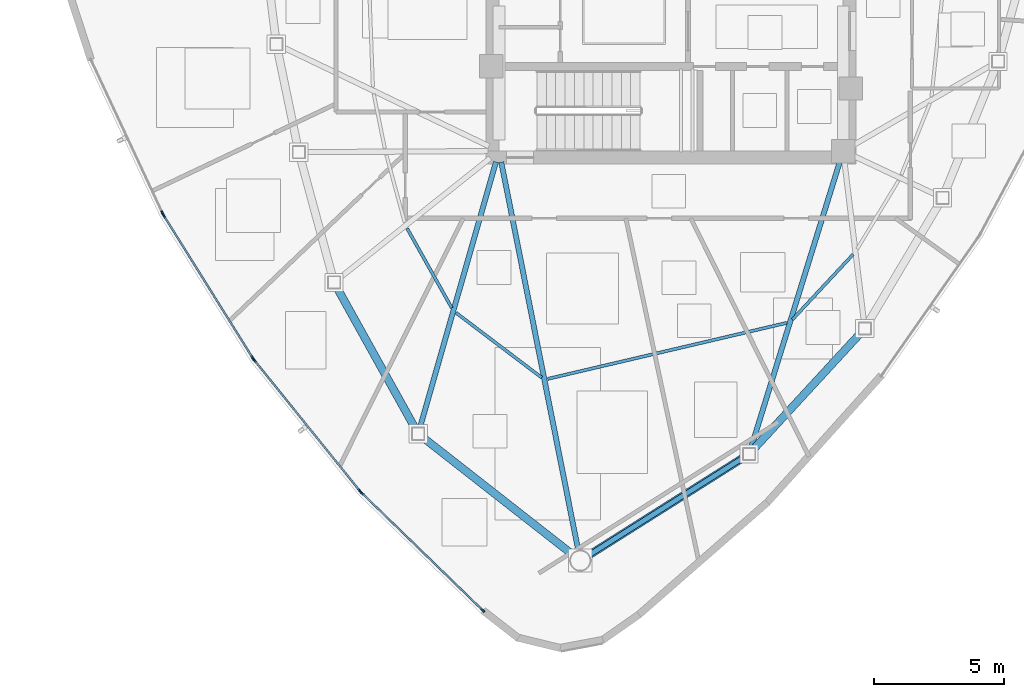
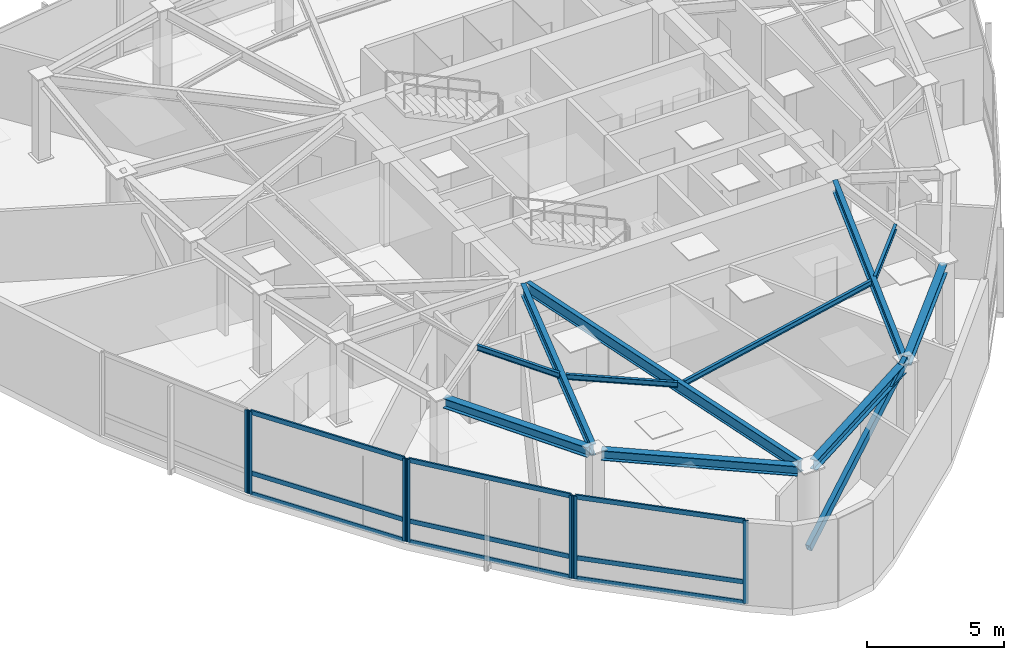
# One storey, part 2 of 12: 17 members, 11 beams, 4 elements without a shape of their own.
"""IFC4 building model written with IfcOpenShell, lengths in metres."""

from ifc_helpers import new_model, si_unit, direction, frame, origin, origin_2d, place, context, subcontext, project, spatial, hollow_rectangle, i_section, extrude, source, transform, mapped, material, layer, layer_set, material_profile, profile_set, type_object, type_shapes, element, aggregate, save


model = new_model("IFC4")

# Units and contexts
model_context = context("Model", 3, precision=1e-05, world=origin(), true_north=direction((0.0, 1.0)))
body_context = subcontext(model_context, "Body", "Model", "MODEL_VIEW")
ifc_project = project(units=[si_unit("LENGTHUNIT", "METRE"), si_unit("AREAUNIT", "SQUARE_METRE"), si_unit("VOLUMEUNIT", "CUBIC_METRE"), si_unit("PLANEANGLEUNIT", "RADIAN"), si_unit("MASSUNIT", "GRAM", prefix="KILO")], contexts=[model_context])

# Site, building, storey
site_placement = place(None, origin())
site = spatial("IfcSite", under=ifc_project, at=site_placement, CompositionType="ELEMENT")
building_placement = place(site_placement, origin())
building = spatial("IfcBuilding", under=site, at=building_placement, Name="Tavelor Broadcast Tower", CompositionType="ELEMENT")
storey_placement = place(building_placement, frame((0.0, 0.0, 289.5)))
storey = spatial("IfcBuildingStorey", under=building, at=storey_placement, Name="L69", CompositionType="ELEMENT", Elevation=289.5)

# Beams
ifc_material_1 = material(Name="Steel S355", Category="steel")
ifc_material_profile_1 = material_profile(ifc_material_1, i_section(OverallWidth=0.1201171875, OverallDepth=0.239990234375, WebThickness=0.006103515625, FlangeThickness=0.009765625, at=origin_2d()), Name="IPE 240")
ifc_profile_set_1 = profile_set([ifc_material_profile_1], Name="Steel S355")
beam_type_1 = type_object("IfcBeamType", Name="Composite Floor Joist T7 IPE 240", PredefinedType="JOIST", material=ifc_profile_set_1)
beam_1_placement = place(storey_placement, frame((39.873779296875, 35.830078125, 3.580078125), z_axis=(0.489567395479, -0.871965461061, 0.0), x_axis=(0.871965461061, 0.489567395479, 0.0)))
element("IfcBeam", 1, at=beam_1_placement, inside=storey, type_object=beam_type_1, Name="L69 Secondary Composite Floor Joist 05", PredefinedType="JOIST", context=body_context, shape_type="SweptSolid", body=[
    extrude(i_section(OverallWidth=0.1201171875, OverallDepth=0.239990234375, WebThickness=0.006103515625, FlangeThickness=0.009765625, at=origin_2d()), origin(), (0.0, 0.0, 1.0), 3.4921875),
])
beam_2_placement = place(storey_placement, frame((41.74951171875, 32.594482421875, 3.580078125), z_axis=(0.797312398186, -0.603566847747, 0.0), x_axis=(0.603566847747, 0.797312398186, 0.0)))
element("IfcBeam", 2, at=beam_2_placement, inside=storey, type_object=beam_type_1, Name="L69 Secondary Composite Floor Joist 06", PredefinedType="JOIST", context=body_context, shape_type="SweptSolid", body=[
    extrude(i_section(OverallWidth=0.1201171875, OverallDepth=0.239990234375, WebThickness=0.006103515625, FlangeThickness=0.009765625, at=origin_2d()), origin(), (0.0, 0.0, 1.0), 4.121826171875),
])
beam_3_placement = place(storey_placement, frame((45.264404296875, 30.058349609375, 3.580078125), z_axis=(0.973614241708, 0.228200149746, 0.0), x_axis=(-0.228200149746, 0.973614241708, 0.0)))
element("IfcBeam", 3, at=beam_3_placement, inside=storey, type_object=beam_type_1, Name="L69 Secondary Composite Floor Joist 07", PredefinedType="JOIST", context=body_context, shape_type="SweptSolid", body=[
    extrude(i_section(OverallWidth=0.1201171875, OverallDepth=0.239990234375, WebThickness=0.006103515625, FlangeThickness=0.009765625, at=origin_2d()), origin(), (0.0, 0.0, 1.0), 9.422119140625),
])
beam_4_placement = place(storey_placement, frame((54.651611328125, 32.332275390625, 3.580078125), z_axis=(0.681448823195, 0.731865767314, 0.0), x_axis=(-0.731865767314, 0.681448823195, 0.0)))
element("IfcBeam", 4, at=beam_4_placement, inside=storey, type_object=beam_type_1, Name="L69 Secondary Composite Floor Joist 08", PredefinedType="JOIST", context=body_context, shape_type="SweptSolid", body=[
    extrude(i_section(OverallWidth=0.1201171875, OverallDepth=0.239990234375, WebThickness=0.006103515625, FlangeThickness=0.009765625, at=origin_2d()), origin(), (0.0, 0.0, 1.0), 3.423583984375),
])
ifc_material_profile_2 = material_profile(ifc_material_1, i_section(OverallWidth=0.300048828125, OverallDepth=0.43994140625, WebThickness=0.011474609375, FlangeThickness=0.02099609375, at=origin_2d()), Name="HEA 450")
ifc_profile_set_2 = profile_set([ifc_material_profile_2], Name="Steel S355")
beam_type_2 = type_object("IfcBeamType", Name="Perimeter Spandrel Beam T7 HEA 450", PredefinedType="SPANDREL", material=ifc_profile_set_2)
beam_5_placement = place(storey_placement, frame((37.184814453125, 33.5498046875, 3.47998046875), z_axis=(0.485969141936, -0.873975968254, 0.0), x_axis=(0.873975968254, 0.485969141936, 0.0)))
element("IfcBeam", 5, at=beam_5_placement, inside=storey, type_object=beam_type_2, Name="L69 Framed-Tube Ring Spandrel 05", PredefinedType="SPANDREL", context=body_context, shape_type="SweptSolid", body=[
    extrude(i_section(OverallWidth=0.300048828125, OverallDepth=0.43994140625, WebThickness=0.011474609375, FlangeThickness=0.02099609375, at=origin_2d()), origin(), (0.0, 0.0, 1.0), 6.1630859375),
])
beam_6_placement = place(storey_placement, frame((40.485595703125, 27.8056640625, 3.47998046875), z_axis=(0.787521309141, -0.616287422919, 0.0), x_axis=(0.616287422919, 0.787521309141, 0.0)))
element("IfcBeam", 6, at=beam_6_placement, inside=storey, type_object=beam_type_2, Name="L69 Framed-Tube Ring Spandrel 06", PredefinedType="SPANDREL", context=body_context, shape_type="SweptSolid", body=[
    extrude(i_section(OverallWidth=0.300048828125, OverallDepth=0.43994140625, WebThickness=0.011474609375, FlangeThickness=0.02099609375, at=origin_2d()), origin(), (0.0, 0.0, 1.0), 7.265625),
])
beam_7_placement = place(storey_placement, frame((46.8447265625, 23.295654296875, 3.47998046875), z_axis=(0.845617600782, 0.53378916554, 0.0), x_axis=(-0.53378916554, 0.845617600782, 0.0)))
element("IfcBeam", 7, at=beam_7_placement, inside=storey, type_object=beam_type_2, Name="L69 Framed-Tube Ring Spandrel 07", PredefinedType="SPANDREL", context=body_context, shape_type="SweptSolid", body=[
    extrude(i_section(OverallWidth=0.300048828125, OverallDepth=0.43994140625, WebThickness=0.011474609375, FlangeThickness=0.02099609375, at=origin_2d()), origin(), (0.0, 0.0, 1.0), 7.03076171875),
])
beam_8_placement = place(storey_placement, frame((53.15576171875, 27.353271484375, 3.47998046875), z_axis=(0.677736891139, 0.735304499095, 0.0), x_axis=(-0.735304499095, 0.677736891139, 0.0)))
element("IfcBeam", 8, at=beam_8_placement, inside=storey, type_object=beam_type_2, Name="L69 Framed-Tube Ring Spandrel 08", PredefinedType="SPANDREL", context=body_context, shape_type="SweptSolid", body=[
    extrude(i_section(OverallWidth=0.300048828125, OverallDepth=0.43994140625, WebThickness=0.011474609375, FlangeThickness=0.02099609375, at=origin_2d()), origin(), (0.0, 0.0, 1.0), 6.06884765625),
])

# Member
ifc_material_profile_3 = material_profile(ifc_material_1, hollow_rectangle(XDim=0.199951171875, YDim=0.35009765625, WallThickness=0.01611328125, at=origin_2d()), Name="RHS 350x200x16")
ifc_profile_set_3 = profile_set([ifc_material_profile_3], Name="Steel S355")
member_type_1 = type_object("IfcMemberType", Name="Perimeter Tube Brace T7 RHS 350x200x16", PredefinedType="BRACE", material=ifc_profile_set_3)
member_1_placement = place(storey_placement, frame((46.5146484375, 23.08740234375, 0.0), z_axis=(0.761462376336, 0.480666847696, 0.434895885184), x_axis=(-0.533789146824, 0.845617612596, 0.0)))
element("IfcMember", 9, at=member_1_placement, inside=storey, type_object=member_type_1, Name="L69 Corner Tube Diagonal Brace 2", PredefinedType="BRACE", context=body_context, shape_type="SweptSolid", body=[
    extrude(hollow_rectangle(XDim=0.199951171875, YDim=0.35009765625, WallThickness=0.01611328125, at=origin_2d()), origin(), (0.0, 0.0, 1.0), 8.507568359375),
])

# Beams
ifc_material_profile_4 = material_profile(ifc_material_1, i_section(OverallWidth=0.199951171875, OverallDepth=0.5, WebThickness=0.01025390625, FlangeThickness=0.01611328125, at=origin_2d()), Name="IPE 500")
ifc_profile_set_4 = profile_set([ifc_material_profile_4], Name="Steel S355")
beam_type_3 = type_object("IfcBeamType", Name="Radial Floor Girder T7 IPE 500", PredefinedType="BEAM", material=ifc_profile_set_4)
beam_9_placement = place(storey_placement, frame((43.28125, 38.384765625, 3.449951171875), z_axis=(-0.275094925197, -0.961417069815, 0.0), x_axis=(0.961417069815, -0.275094925197, 0.0)))
element("IfcBeam", 10, at=beam_9_placement, inside=storey, type_object=beam_type_3, Name="L69 Radial Primary Floor Girder 06", PredefinedType="BEAM", context=body_context, shape_type="SweptSolid", body=[
    extrude(i_section(OverallWidth=0.199951171875, OverallDepth=0.5, WebThickness=0.01025390625, FlangeThickness=0.01611328125, at=origin_2d()), origin(), (0.0, 0.0, 1.0), 10.60986328125),
])
beam_10_placement = place(storey_placement, frame((43.48388671875, 38.376220703125, 3.449951171875), z_axis=(0.19444745334, -0.980912935938, 0.0), x_axis=(0.980912935938, 0.19444745334, 0.0)))
element("IfcBeam", 11, at=beam_10_placement, inside=storey, type_object=beam_type_3, Name="L69 Radial Primary Floor Girder 07", PredefinedType="BEAM", context=body_context, shape_type="SweptSolid", body=[
    extrude(i_section(OverallWidth=0.199951171875, OverallDepth=0.5, WebThickness=0.01025390625, FlangeThickness=0.01611328125, at=origin_2d()), origin(), (0.0, 0.0, 1.0), 15.196044921875),
])
beam_11_placement = place(storey_placement, frame((56.471923828125, 38.387451171875, 3.449951171875), z_axis=(-0.296373836186, -0.955072012585, 0.0), x_axis=(0.955072012585, -0.296373836186, 0.0)))
element("IfcBeam", 12, at=beam_11_placement, inside=storey, type_object=beam_type_3, Name="L69 Radial Primary Floor Girder 08", PredefinedType="BEAM", context=body_context, shape_type="SweptSolid", body=[
    extrude(i_section(OverallWidth=0.199951171875, OverallDepth=0.5, WebThickness=0.01025390625, FlangeThickness=0.01611328125, at=origin_2d()), origin(), (0.0, 0.0, 1.0), 11.498046875),
])

# Curtain wall, member
ifc_material_2 = material(Name="Architectural Anodized Aluminium", Category="aluminium")
ifc_layer = layer(ifc_material_2, 0.199951171875)
ifc_layer_set = layer_set([ifc_layer], Name="Architectural Anodized Aluminium")
curtain_wall_type = type_object("IfcCurtainWallType", Name="Tower High-Zone Triple-Glazed Curtain Wall CW04", PredefinedType="NOTDEFINED", material=ifc_layer_set)
curtain_wall_1_placement = place(storey_placement, origin())
curtain_wall_1 = element("IfcCurtainWall", 13, at=curtain_wall_1_placement, inside=storey, type_object=curtain_wall_type, Name="L69 Curtain Wall CW04 Run 757", PredefinedType="NOTDEFINED")
ifc_material_profile_5 = material_profile(ifc_material_2, hollow_rectangle(XDim=0.070068359375, YDim=0.199951171875, WallThickness=0.02197265625, at=origin_2d()), Name="RHS 70x200x22")
ifc_profile_set_5 = profile_set([ifc_material_profile_5], Name="Architectural Anodized Aluminium")
member_type_2 = type_object("IfcMemberType", Name="CW04 Extruded Aluminium Mullion 70x200", PredefinedType="MULLION", material=ifc_profile_set_5)
shared_shape_1 = source(origin(), body_context, "Body", "SweptSolid", [
    extrude(hollow_rectangle(XDim=0.070068359375, YDim=0.199951171875, WallThickness=0.02197265625, at=origin_2d()), origin(), (0.0, 0.0, 1.0), 3.699951171875),
])
type_shapes(member_type_2, [shared_shape_1])
member_2_placement = place(storey_placement, frame((30.486328125, 36.41650390625, 0.0), z_axis=(0.0, 0.0, 1.0), x_axis=(0.906128776802, 0.423001938354, 0.0)))
member_2 = element("IfcMember", 14, at=member_2_placement, type_object=member_type_2, Name="CW04 mullion 2", PredefinedType="MULLION", context=body_context, shape_type="MappedRepresentation", body=[
    mapped(shared_shape_1, transform((0.0, 0.0, 0.0), scale=1.0)),
])
aggregate(curtain_wall_1, [member_2])

# Curtain wall, members
curtain_wall_2_placement = place(storey_placement, origin())
curtain_wall_2 = element("IfcCurtainWall", 15, at=curtain_wall_2_placement, inside=storey, type_object=curtain_wall_type, Name="L69 Curtain Wall CW04 Run 758", PredefinedType="NOTDEFINED")
member_3_placement = place(storey_placement, frame((30.533935546875, 36.32861328125, 0.0), z_axis=(0.0, 0.0, 1.0), x_axis=(0.848273138771, 0.529558950485, 0.0)))
member_3 = element("IfcMember", 16, at=member_3_placement, type_object=member_type_2, Name="CW04 mullion 1", PredefinedType="MULLION", context=body_context, shape_type="MappedRepresentation", body=[
    mapped(shared_shape_1, transform((0.0, 0.0, 0.0), scale=1.0)),
])
member_4_placement = place(storey_placement, frame((33.94873046875, 30.85888671875, 0.0), z_axis=(0.0, 0.0, 1.0), x_axis=(0.848273138771, 0.529558950485, 0.0)))
member_4 = element("IfcMember", 17, at=member_4_placement, type_object=member_type_2, Name="CW04 mullion 2", PredefinedType="MULLION", context=body_context, shape_type="MappedRepresentation", body=[
    mapped(shared_shape_1, transform((0.0, 0.0, 0.0), scale=1.0)),
])

curtain_wall_3_placement = place(storey_placement, origin())
curtain_wall_3 = element("IfcCurtainWall", 18, at=curtain_wall_3_placement, inside=storey, type_object=curtain_wall_type, Name="L69 Curtain Wall CW04 Run 759", PredefinedType="NOTDEFINED")
member_5_placement = place(storey_placement, frame((34.006591796875, 30.777587890625, 0.0), z_axis=(0.0, 0.0, 1.0), x_axis=(0.777973195314, 0.628297467266, 0.0)))
member_5 = element("IfcMember", 19, at=member_5_placement, type_object=member_type_2, Name="CW04 mullion 1", PredefinedType="MULLION", context=body_context, shape_type="MappedRepresentation", body=[
    mapped(shared_shape_1, transform((0.0, 0.0, 0.0), scale=1.0)),
])
member_6_placement = place(storey_placement, frame((38.057861328125, 25.76123046875, 0.0), z_axis=(0.0, 0.0, 1.0), x_axis=(0.777973195314, 0.628297467266, 0.0)))
member_6 = element("IfcMember", 20, at=member_6_placement, type_object=member_type_2, Name="CW04 mullion 2", PredefinedType="MULLION", context=body_context, shape_type="MappedRepresentation", body=[
    mapped(shared_shape_1, transform((0.0, 0.0, 0.0), scale=1.0)),
])

curtain_wall_4_placement = place(storey_placement, origin())
curtain_wall_4 = element("IfcCurtainWall", 21, at=curtain_wall_4_placement, inside=storey, type_object=curtain_wall_type, Name="L69 Curtain Wall CW04 Run 760", PredefinedType="NOTDEFINED")
member_7_placement = place(storey_placement, frame((38.125244140625, 25.6875, 0.0), z_axis=(0.0, 0.0, 1.0), x_axis=(0.696196028084, 0.717851719006, 0.0)))
member_7 = element("IfcMember", 22, at=member_7_placement, type_object=member_type_2, Name="CW04 mullion 1", PredefinedType="MULLION", context=body_context, shape_type="MappedRepresentation", body=[
    mapped(shared_shape_1, transform((0.0, 0.0, 0.0), scale=1.0)),
])
member_8_placement = place(storey_placement, frame((42.765380859375, 21.187255859375, 0.0), z_axis=(0.0, 0.0, 1.0), x_axis=(0.696196028084, 0.717851719006, 0.0)))
member_8 = element("IfcMember", 23, at=member_8_placement, type_object=member_type_2, Name="CW04 mullion 2", PredefinedType="MULLION", context=body_context, shape_type="MappedRepresentation", body=[
    mapped(shared_shape_1, transform((0.0, 0.0, 0.0), scale=1.0)),
])

# Member
ifc_material_profile_6 = material_profile(ifc_material_2, hollow_rectangle(XDim=0.070068359375, YDim=0.199951171875, WallThickness=0.02197265625, at=origin_2d()), Name="RHS 70x200x22")
ifc_profile_set_6 = profile_set([ifc_material_profile_6], Name="Architectural Anodized Aluminium")
member_type_3 = type_object("IfcMemberType", Name="CW04 Extruded Aluminium Transom 70x200", PredefinedType="USERDEFINED", material=ifc_profile_set_6)
shared_shape_2 = source(origin(), body_context, "Body", "SweptSolid", [
    extrude(hollow_rectangle(XDim=0.070068359375, YDim=0.199951171875, WallThickness=0.02197265625, at=origin_2d()), origin(), (0.0, 0.0, 1.0), 6.378173828125),
])
member_9_placement = place(storey_placement, frame((30.552490234375, 36.299072265625, 0.034912109375), z_axis=(0.529568787913, -0.848266997394, 0.0), x_axis=(0.848266997394, 0.529568787913, 0.0)))
member_9 = element("IfcMember", 24, at=member_9_placement, type_object=member_type_3, Name="CW04 transom 1.1", ObjectType="TRANSOM", PredefinedType="USERDEFINED", context=body_context, shape_type="MappedRepresentation", body=[
    mapped(shared_shape_2, transform((0.0, 0.0, 0.0), scale=1.0)),
])

member_10_placement = place(storey_placement, frame((30.552490234375, 36.299072265625, 0.949951171875), z_axis=(0.529568787913, -0.848266997394, 0.0), x_axis=(0.848266997394, 0.529568787913, 0.0)))
member_10 = element("IfcMember", 25, at=member_10_placement, type_object=member_type_3, Name="CW04 transom 1.2", ObjectType="TRANSOM", PredefinedType="USERDEFINED", context=body_context, shape_type="MappedRepresentation", body=[
    mapped(shared_shape_2, transform((0.0, 0.0, 0.0), scale=1.0)),
])

member_11_placement = place(storey_placement, frame((30.552490234375, 36.299072265625, 3.6650390625), z_axis=(0.529568787913, -0.848266997394, 0.0), x_axis=(0.848266997394, 0.529568787913, 0.0)))
member_11 = element("IfcMember", 26, at=member_11_placement, type_object=member_type_3, Name="CW04 transom 1.3", ObjectType="TRANSOM", PredefinedType="USERDEFINED", context=body_context, shape_type="MappedRepresentation", body=[
    mapped(shared_shape_2, transform((0.0, 0.0, 0.0), scale=1.0)),
])

aggregate(curtain_wall_2, [member_3, member_4, member_9, member_10, member_11])

shared_shape_3 = source(origin(), body_context, "Body", "SweptSolid", [
    extrude(hollow_rectangle(XDim=0.070068359375, YDim=0.199951171875, WallThickness=0.02197265625, at=origin_2d()), origin(), (0.0, 0.0, 1.0), 6.3779296875),
])
member_12_placement = place(storey_placement, frame((34.028564453125, 30.75048828125, 0.034912109375), z_axis=(0.628301466747, -0.777969965284, 0.0), x_axis=(0.777969965284, 0.628301466747, 0.0)))
member_12 = element("IfcMember", 27, at=member_12_placement, type_object=member_type_3, Name="CW04 transom 1.1", ObjectType="TRANSOM", PredefinedType="USERDEFINED", context=body_context, shape_type="MappedRepresentation", body=[
    mapped(shared_shape_3, transform((0.0, 0.0, 0.0), scale=1.0)),
])

member_13_placement = place(storey_placement, frame((34.028564453125, 30.75048828125, 0.949951171875), z_axis=(0.628301466747, -0.777969965284, 0.0), x_axis=(0.777969965284, 0.628301466747, 0.0)))
member_13 = element("IfcMember", 28, at=member_13_placement, type_object=member_type_3, Name="CW04 transom 1.2", ObjectType="TRANSOM", PredefinedType="USERDEFINED", context=body_context, shape_type="MappedRepresentation", body=[
    mapped(shared_shape_3, transform((0.0, 0.0, 0.0), scale=1.0)),
])

member_14_placement = place(storey_placement, frame((34.028564453125, 30.75048828125, 3.6650390625), z_axis=(0.628301466747, -0.777969965284, 0.0), x_axis=(0.777969965284, 0.628301466747, 0.0)))
member_14 = element("IfcMember", 29, at=member_14_placement, type_object=member_type_3, Name="CW04 transom 1.3", ObjectType="TRANSOM", PredefinedType="USERDEFINED", context=body_context, shape_type="MappedRepresentation", body=[
    mapped(shared_shape_3, transform((0.0, 0.0, 0.0), scale=1.0)),
])

aggregate(curtain_wall_3, [member_5, member_6, member_12, member_13, member_14])

shared_shape_4 = source(origin(), body_context, "Body", "SweptSolid", [
    extrude(hollow_rectangle(XDim=0.070068359375, YDim=0.199951171875, WallThickness=0.02197265625, at=origin_2d()), origin(), (0.0, 0.0, 1.0), 6.393798828125),
])
type_shapes(member_type_3, [shared_shape_2, shared_shape_3, shared_shape_4])
member_15_placement = place(storey_placement, frame((38.150390625, 25.6630859375, 0.034912109375), z_axis=(0.717848926049, -0.696198907907, 0.0), x_axis=(0.696198907907, 0.717848926049, 0.0)))
member_15 = element("IfcMember", 30, at=member_15_placement, type_object=member_type_3, Name="CW04 transom 1.1", ObjectType="TRANSOM", PredefinedType="USERDEFINED", context=body_context, shape_type="MappedRepresentation", body=[
    mapped(shared_shape_4, transform((0.0, 0.0, 0.0), scale=1.0)),
])

member_16_placement = place(storey_placement, frame((38.150390625, 25.6630859375, 0.949951171875), z_axis=(0.717848926049, -0.696198907907, 0.0), x_axis=(0.696198907907, 0.717848926049, 0.0)))
member_16 = element("IfcMember", 31, at=member_16_placement, type_object=member_type_3, Name="CW04 transom 1.2", ObjectType="TRANSOM", PredefinedType="USERDEFINED", context=body_context, shape_type="MappedRepresentation", body=[
    mapped(shared_shape_4, transform((0.0, 0.0, 0.0), scale=1.0)),
])

member_17_placement = place(storey_placement, frame((38.150390625, 25.6630859375, 3.6650390625), z_axis=(0.717848926049, -0.696198907907, 0.0), x_axis=(0.696198907907, 0.717848926049, 0.0)))
member_17 = element("IfcMember", 32, at=member_17_placement, type_object=member_type_3, Name="CW04 transom 1.3", ObjectType="TRANSOM", PredefinedType="USERDEFINED", context=body_context, shape_type="MappedRepresentation", body=[
    mapped(shared_shape_4, transform((0.0, 0.0, 0.0), scale=1.0)),
])

aggregate(curtain_wall_4, [member_7, member_8, member_15, member_16, member_17])

save(model, "model.ifc")
